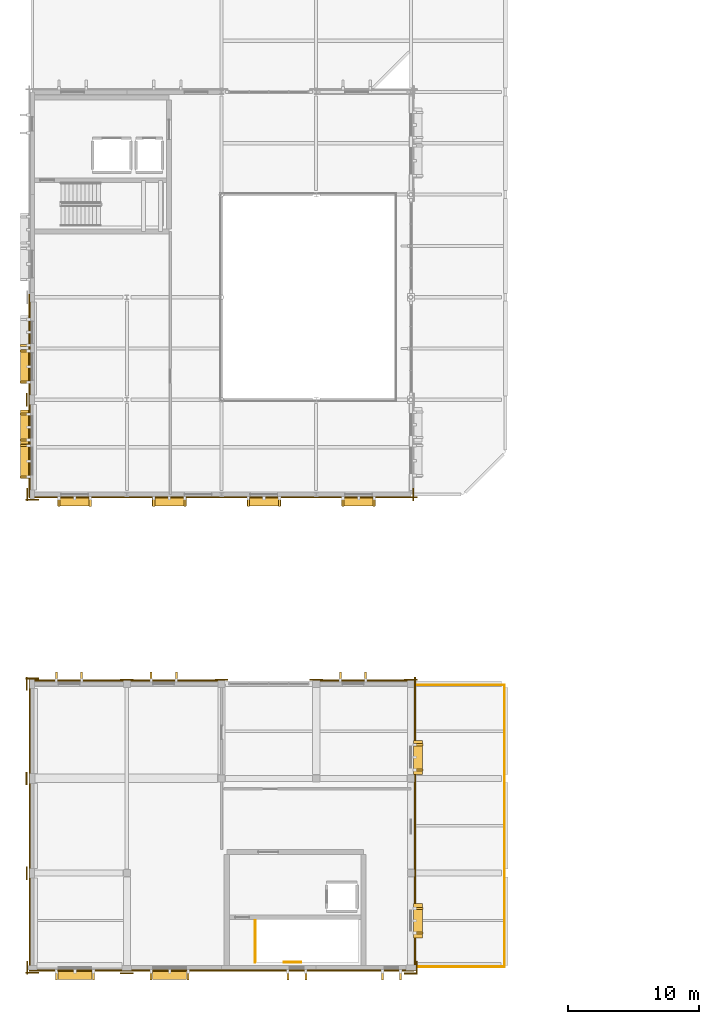
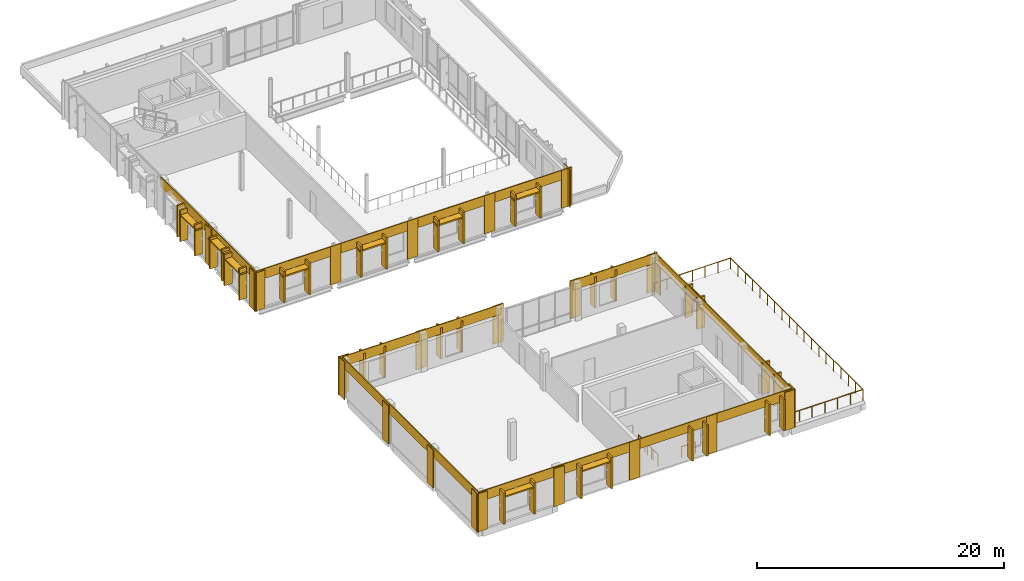
# One storey, part 62 of 73: 44 shading devices, 41 coverings, 6 railings.
"""IFC4 building model written with IfcOpenShell, lengths in metres."""

import ifcopenshell
import ifcopenshell.guid

model = None  # the IFC model being written
_history = None  # IfcOwnerHistory: only IFC2X3 demands one
_inside = {}  # id of a spatial element -> (the spatial element, [elements in it])
_under = {}  # id of a project, library or spatial element -> (it, [spatial elements below it])
_declared = {}  # id of a project -> (the project, [libraries it declares])
_typed = {}  # id of a type object -> (the type object, [elements of that type])
_made_of = {}  # id of a material, layer set ... -> (it, [elements and type objects made of it])


def new_model(schema):
    """Start an empty IFC model of exactly this schema.

    Asked for "IFC4X3", IfcOpenShell would pick the latest addendum, in which some entities
    have other attributes; the version numbers below select the first issue.
    IFC2X3 requires an IfcOwnerHistory on every rooted entity: one is made here for all.
    """
    global model, _history
    if schema == "IFC4X3":
        model = ifcopenshell.file(schema_version=(4, 3, 0, 0))
    else:
        model = ifcopenshell.file(schema=schema)
    _inside.clear()
    _under.clear()
    _declared.clear()
    _typed.clear()
    _made_of.clear()
    _history = None
    if model.schema == "IFC2X3":
        org = make("IfcOrganization", Name="unknown")
        user = make(
            "IfcPersonAndOrganization",
            ThePerson=make("IfcPerson", FamilyName="unknown"),
            TheOrganization=org,
        )
        app = make(
            "IfcApplication",
            ApplicationDeveloper=org,
            Version="unknown",
            ApplicationFullName="unknown",
            ApplicationIdentifier="unknown",
        )
        _history = make(
            "IfcOwnerHistory",
            OwningUser=user,
            OwningApplication=app,
            ChangeAction="ADDED",
            CreationDate=0,
        )
    return model


def make(cls, **values):
    """One entity of the class cls with the attributes given. An attribute that is None is left unset."""
    return model.create_entity(
        cls, **{name: value for name, value in values.items() if value is not None}
    )


def rooted(cls, **values):
    """An entity with a GlobalId (a new one), such as an element, a storey or a relation."""
    return make(cls, GlobalId=ifcopenshell.guid.new(), OwnerHistory=_history, **values)


def si_unit(unit_type, name, prefix=None):
    """IfcSIUnit, for example si_unit("LENGTHUNIT", "METRE", prefix="MILLI")."""
    return make("IfcSIUnit", UnitType=unit_type, Prefix=prefix, Name=name)


def assignment(units):
    """IfcUnitAssignment: the units of a project."""
    return None if units is None else make("IfcUnitAssignment", Units=units)


def point(xyz):
    """IfcCartesianPoint."""
    return None if xyz is None else make("IfcCartesianPoint", Coordinates=xyz)


def direction(xyz):
    """IfcDirection."""
    return None if xyz is None else make("IfcDirection", DirectionRatios=xyz)


def frame(location, z_axis=None, x_axis=None):
    """IfcAxis2Placement3D, a coordinate frame: its origin and axes. An axis left out is left unset."""
    return make(
        "IfcAxis2Placement3D",
        Location=point(location),
        Axis=direction(z_axis),
        RefDirection=direction(x_axis),
    )


def frame_2d(location, x_axis=None):
    """IfcAxis2Placement2D, a coordinate frame in the plane: its origin and x axis."""
    return make(
        "IfcAxis2Placement2D", Location=point(location), RefDirection=direction(x_axis)
    )


def origin():
    """The frame at (0, 0, 0) with its axes left unset."""
    return frame((0.0, 0.0, 0.0))


def origin_2d():
    """The frame at (0, 0) in the plane with its x axis left unset."""
    return frame_2d((0.0, 0.0))


def place(relative_to, where):
    """IfcLocalPlacement: puts the frame where relative to a parent placement (None: the world)."""
    return make(
        "IfcLocalPlacement", PlacementRelTo=relative_to, RelativePlacement=where
    )


def context(
    kind, dimensions, precision=None, world=None, true_north=None, identifier=None
):
    """IfcGeometricRepresentationContext, for example the 3D "Model" context."""
    return make(
        "IfcGeometricRepresentationContext",
        ContextIdentifier=identifier,
        ContextType=kind,
        CoordinateSpaceDimension=dimensions,
        Precision=precision,
        WorldCoordinateSystem=world,
        TrueNorth=true_north,
    )


def subcontext(parent, identifier, kind, view, scale=None):
    """IfcGeometricRepresentationSubContext, for example "Body" below "Model"."""
    return make(
        "IfcGeometricRepresentationSubContext",
        ContextIdentifier=identifier,
        ContextType=kind,
        ParentContext=parent,
        TargetScale=scale,
        TargetView=view,
    )


def project(units=None, contexts=None):
    """IfcProject with its units and contexts."""
    return rooted(
        "IfcProject",
        Name="project",
        RepresentationContexts=contexts,
        UnitsInContext=assignment(units),
    )


def spatial(cls, under=None, at=None, **own):
    """A site, building, storey or space (cls), placed at a placement, below another one or the project."""
    s = rooted(cls, ObjectPlacement=at, **own)
    if under is not None:
        _under.setdefault(under.id(), (under, []))[1].append(s)
    return s


def profile(cls, at=None, kind="AREA", **sizes):
    """A parametric profile (cls). Its sizes go by their IFC names, for example OverallWidth=200.0."""
    return make(cls, ProfileType=kind, Position=at, **sizes)


def rectangle(**sizes):
    """IfcRectangleProfileDef."""
    return profile("IfcRectangleProfileDef", **sizes)


def circle(**sizes):
    """IfcCircleProfileDef."""
    return profile("IfcCircleProfileDef", **sizes)


def extrude(swept, where, along, depth):
    """IfcExtrudedAreaSolid: the profile swept, set in the frame where, extruded along a direction by depth."""
    return make(
        "IfcExtrudedAreaSolid",
        SweptArea=swept,
        Position=where,
        ExtrudedDirection=direction(along),
        Depth=depth,
    )


def shape(context_of_items, identifier, shape_type, items):
    """IfcShapeRepresentation: the items that make up one representation, for example the "Body"."""
    return make(
        "IfcShapeRepresentation",
        ContextOfItems=context_of_items,
        RepresentationIdentifier=identifier,
        RepresentationType=shape_type,
        Items=items,
    )


def material(Name=None, Category=None):
    """IfcMaterial."""
    return make("IfcMaterial", Name=Name, Category=Category)


def layer(
    of_material, thickness, ventilated=None, Name=None, Category=None, Priority=None
):
    """IfcMaterialLayer: one layer of a wall or slab, of a material (None: an air gap)."""
    return make(
        "IfcMaterialLayer",
        Material=of_material,
        LayerThickness=thickness,
        IsVentilated=ventilated,
        Name=Name,
        Category=Category,
        Priority=Priority,
    )


def layer_set(layers, Name=None):
    """IfcMaterialLayerSet."""
    return make("IfcMaterialLayerSet", MaterialLayers=layers, LayerSetName=Name)


def made_of(thing, what):
    """Note that an element or type object is made of a material, layer set ...; save() writes the relation."""
    if what is not None:
        _made_of.setdefault(what.id(), (what, []))[1].append(thing)
    return thing


def type_object(cls, material=None, **own):
    """A type object (cls), such as IfcWallType, which elements share."""
    return made_of(rooted(cls, **own), material)


def element(
    cls,
    number,
    at=None,
    inside=None,
    cuts=None,
    type_object=None,
    material=None,
    context=None,
    identifier="Body",
    shape_type=None,
    held_by="IfcProductDefinitionShape",
    body=None,
    shapes=None,
    **own,
):
    """One element of the class cls, such as IfcWall. Its Tag is "e" and its number.

    at: its placement. inside: the storey or other place that contains it. cuts: it is an
    opening in that element (IfcRelVoidsElement). A single representation is given by context,
    identifier, shape_type and body (its items); several are given by shapes. held_by: the class
    of the entity that holds the representations. save() writes the other relations.
    """
    e = rooted(cls, Tag="e%d" % number, ObjectPlacement=at, **own)
    if body is not None:
        shapes = [shape(context, identifier, shape_type, body)]
    if shapes is not None:
        e.Representation = make(held_by, Representations=shapes)
    if inside is not None:
        _inside.setdefault(inside.id(), (inside, []))[1].append(e)
    if cuts is not None:
        rooted(
            "IfcRelVoidsElement", RelatingBuildingElement=cuts, RelatedOpeningElement=e
        )
    if type_object is not None:
        _typed.setdefault(type_object.id(), (type_object, []))[1].append(e)
    return made_of(e, material)


def aggregate(whole, parts):
    """IfcRelAggregates: a whole, such as a stair, and the parts it consists of."""
    return rooted("IfcRelAggregates", RelatingObject=whole, RelatedObjects=parts)


def save(model, path):
    """Write the relations noted so far, then the file.

    IfcRelAggregates (storeys below a building ...), IfcRelContainedInSpatialStructure (elements
    in a storey), IfcRelDefinesByType, IfcRelAssociatesMaterial and IfcRelDeclares: one each for
    every whole, place, type object, material and project.
    """
    for whole, parts in _under.values():
        aggregate(whole, parts)
    for where, things in _inside.values():
        rooted(
            "IfcRelContainedInSpatialStructure",
            RelatedElements=things,
            RelatingStructure=where,
        )
    for kind, things in _typed.values():
        rooted("IfcRelDefinesByType", RelatedObjects=things, RelatingType=kind)
    for what, things in _made_of.values():
        rooted("IfcRelAssociatesMaterial", RelatedObjects=things, RelatingMaterial=what)
    for by, libraries in _declared.values():
        rooted("IfcRelDeclares", RelatingContext=by, RelatedDefinitions=libraries)
    model.write(path)


model = new_model("IFC4")

# Units and contexts
model_context = context("Model", 3, precision=1e-05, world=origin(), true_north=direction((0.0, 1.0)))
body_context = subcontext(model_context, "Body", "Model", "MODEL_VIEW")
ifc_project = project(units=[si_unit("LENGTHUNIT", "METRE"), si_unit("AREAUNIT", "SQUARE_METRE"), si_unit("VOLUMEUNIT", "CUBIC_METRE"), si_unit("PLANEANGLEUNIT", "RADIAN"), si_unit("MASSUNIT", "GRAM", prefix="KILO")], contexts=[model_context])

# Site, building, storey
site_placement = place(None, origin())
site = spatial("IfcSite", under=ifc_project, at=site_placement, CompositionType="ELEMENT")
building_placement = place(site_placement, origin())
building = spatial("IfcBuilding", under=site, at=building_placement, Name="Vervanel Yard Central Library", CompositionType="ELEMENT")
storey_placement = place(building_placement, frame((0.0, 0.0, 12.780029296875)))
storey = spatial("IfcBuildingStorey", under=building, at=storey_placement, Name="L03", CompositionType="ELEMENT", Elevation=12.780029296875)

# Coverings
ifc_material_1 = material(Name="Precast concrete C45/55", Category="concrete")
ifc_layer = layer(ifc_material_1, 0.0849609375, Category="concrete")
ifc_layer_set = layer_set([ifc_layer], Name="Precast concrete C45/55")
covering_type = type_object("IfcCoveringType", Name="Bush-Hammered Precast Architectural Cladding Panel", PredefinedType="CLADDING", material=ifc_layer_set)
covering_1_placement = place(storey_placement, frame((-0.2099609375, 39.60009765625, 2.800048828125), z_axis=(0.0, 0.0, 1.0), x_axis=(0.0, 1.0, 0.0)))
element("IfcCovering", 1, at=covering_1_placement, inside=storey, type_object=covering_type, Name="L03 Precast Concrete Spandrel Cornice EWALL-L03-0129", PredefinedType="CLADDING", context=body_context, shape_type="SweptSolid", body=[
    extrude(rectangle(XDim=7.64990234375, YDim=0.0849609375, at=origin_2d()), origin(), (0.0, 0.0, 1.0), 0.9599609375),
])
for number, where, z_axis, x_axis, name in (
    (2, (-0.392578125, 36.0, 0.0), (0.0, 0.0, 1.0), (0.0, 1.0, 0.0), "L03 Precast Concrete Pier Pilaster EWALL-L03-0129-A"),
    (3, (-0.402587890625, 43.199951171875, 0.0), (0.0, 0.0, 1.0), (0.0, 1.0, 0.0), "L03 Precast Concrete Pier Pilaster EWALL-L03-0129-B"),
):
    element("IfcCovering", number, at=place(storey_placement, frame(where, z_axis=z_axis, x_axis=x_axis)), inside=storey, type_object=covering_type, Name=name, PredefinedType="CLADDING", context=body_context, shape_type="SweptSolid", body=[
        extrude(rectangle(XDim=0.97998046875, YDim=0.0849609375, at=origin_2d()), origin(), (0.0, 0.0, 1.0), 3.760009765625),
    ])
covering_2_placement = place(storey_placement, frame((-0.2099609375, 47.10009765625, 2.800048828125), z_axis=(0.0, 0.0, 1.0), x_axis=(0.0, 1.0, 0.0)))
element("IfcCovering", 4, at=covering_2_placement, inside=storey, type_object=covering_type, Name="L03 Precast Concrete Spandrel Cornice EWALL-L03-0130", PredefinedType="CLADDING", context=body_context, shape_type="SweptSolid", body=[
    extrude(rectangle(XDim=8.25, YDim=0.0849609375, at=origin_2d()), origin(), (0.0, 0.0, 1.0), 0.9599609375),
])
covering_3_placement = place(storey_placement, frame((28.992431640625, 36.0, 0.0), z_axis=(0.0, 0.0, 1.0), x_axis=(0.0, 1.0, 0.0)))
element("IfcCovering", 5, at=covering_3_placement, inside=storey, type_object=covering_type, Name="L03 Precast Concrete Pier Pilaster EWALL-L03-0133-A", PredefinedType="CLADDING", context=body_context, shape_type="SweptSolid", body=[
    extrude(rectangle(XDim=0.97998046875, YDim=0.0849609375, at=origin_2d()), origin(), (0.0, 0.0, 1.0), 3.760009765625),
])
covering_4_placement = place(storey_placement, frame((3.60009765625, 35.7900390625, 2.800048828125), z_axis=(0.0, 0.0, 1.0), x_axis=(1.0, 0.0, 0.0)))
element("IfcCovering", 6, at=covering_4_placement, inside=storey, type_object=covering_type, Name="L03 Precast Concrete Spandrel Cornice EWALL-L03-0136", PredefinedType="CLADDING", context=body_context, shape_type="SweptSolid", body=[
    extrude(rectangle(XDim=7.64990234375, YDim=0.0849609375, at=origin_2d()), origin(), (0.0, 0.0, 1.0), 0.9599609375),
])
for number, where, z_axis, x_axis, name in (
    (7, (0.0, 35.607421875, 0.0), (0.0, 0.0, 1.0), (1.0, 0.0, 0.0), "L03 Precast Concrete Pier Pilaster EWALL-L03-0136-A"),
    (8, (7.199951171875, 35.78759765625, 0.0), (0.0, 0.0, 1.0), (1.0, 0.0, 0.0), "L03 Precast Concrete Pier Pilaster EWALL-L03-0136-B"),
):
    element("IfcCovering", number, at=place(storey_placement, frame(where, z_axis=z_axis, x_axis=x_axis)), inside=storey, type_object=covering_type, Name=name, PredefinedType="CLADDING", context=body_context, shape_type="SweptSolid", body=[
        extrude(rectangle(XDim=0.97998046875, YDim=0.0849609375, at=origin_2d()), origin(), (0.0, 0.0, 1.0), 3.760009765625),
    ])
covering_5_placement = place(storey_placement, frame((10.800048828125, 35.7900390625, 2.800048828125), z_axis=(0.0, 0.0, 1.0), x_axis=(1.0, 0.0, 0.0)))
element("IfcCovering", 9, at=covering_5_placement, inside=storey, type_object=covering_type, Name="L03 Precast Concrete Spandrel Cornice EWALL-L03-0138", PredefinedType="CLADDING", context=body_context, shape_type="SweptSolid", body=[
    extrude(rectangle(XDim=7.64990234375, YDim=0.0849609375, at=origin_2d()), origin(), (0.0, 0.0, 1.0), 0.9599609375),
])
covering_6_placement = place(storey_placement, frame((14.39990234375, 35.78759765625, 0.0), z_axis=(0.0, 0.0, 1.0), x_axis=(1.0, 0.0, 0.0)))
element("IfcCovering", 10, at=covering_6_placement, inside=storey, type_object=covering_type, Name="L03 Precast Concrete Pier Pilaster EWALL-L03-0138-B", PredefinedType="CLADDING", context=body_context, shape_type="SweptSolid", body=[
    extrude(rectangle(XDim=0.97998046875, YDim=0.0849609375, at=origin_2d()), origin(), (0.0, 0.0, 1.0), 3.760009765625),
])
covering_7_placement = place(storey_placement, frame((18.0, 35.7900390625, 2.800048828125), z_axis=(0.0, 0.0, 1.0), x_axis=(1.0, 0.0, 0.0)))
element("IfcCovering", 11, at=covering_7_placement, inside=storey, type_object=covering_type, Name="L03 Precast Concrete Spandrel Cornice EWALL-L03-0139", PredefinedType="CLADDING", context=body_context, shape_type="SweptSolid", body=[
    extrude(rectangle(XDim=7.64990234375, YDim=0.0849609375, at=origin_2d()), origin(), (0.0, 0.0, 1.0), 0.9599609375),
])
covering_8_placement = place(storey_placement, frame((21.60009765625, 35.78759765625, 0.0), z_axis=(0.0, 0.0, 1.0), x_axis=(1.0, 0.0, 0.0)))
element("IfcCovering", 12, at=covering_8_placement, inside=storey, type_object=covering_type, Name="L03 Precast Concrete Pier Pilaster EWALL-L03-0139-B", PredefinedType="CLADDING", context=body_context, shape_type="SweptSolid", body=[
    extrude(rectangle(XDim=0.97998046875, YDim=0.0849609375, at=origin_2d()), origin(), (0.0, 0.0, 1.0), 3.760009765625),
])
covering_9_placement = place(storey_placement, frame((25.199951171875, 35.7900390625, 2.800048828125), z_axis=(0.0, 0.0, 1.0), x_axis=(1.0, 0.0, 0.0)))
element("IfcCovering", 13, at=covering_9_placement, inside=storey, type_object=covering_type, Name="L03 Precast Concrete Spandrel Cornice EWALL-L03-0141", PredefinedType="CLADDING", context=body_context, shape_type="SweptSolid", body=[
    extrude(rectangle(XDim=7.64990234375, YDim=0.0849609375, at=origin_2d()), origin(), (0.0, 0.0, 1.0), 0.9599609375),
])
covering_10_placement = place(storey_placement, frame((28.800048828125, 35.78759765625, 0.0), z_axis=(0.0, 0.0, 1.0), x_axis=(1.0, 0.0, 0.0)))
element("IfcCovering", 14, at=covering_10_placement, inside=storey, type_object=covering_type, Name="L03 Precast Concrete Pier Pilaster EWALL-L03-0141-B", PredefinedType="CLADDING", context=body_context, shape_type="SweptSolid", body=[
    extrude(rectangle(XDim=0.97998046875, YDim=0.0849609375, at=origin_2d()), origin(), (0.0, 0.0, 1.0), 3.760009765625),
])
covering_11_placement = place(storey_placement, frame((3.60009765625, -0.2099609375, 2.800048828125), z_axis=(0.0, 0.0, 1.0), x_axis=(1.0, 0.0, 0.0)))
element("IfcCovering", 15, at=covering_11_placement, inside=storey, type_object=covering_type, Name="L03 Precast Concrete Spandrel Cornice EWALL-L03-0246", PredefinedType="CLADDING", context=body_context, shape_type="SweptSolid", body=[
    extrude(rectangle(XDim=7.64990234375, YDim=0.0849609375, at=origin_2d()), origin(), (0.0, 0.0, 1.0), 0.9599609375),
])
for number, where, z_axis, x_axis, name in (
    (16, (0.0, -0.392578125, 0.0), (0.0, 0.0, 1.0), (1.0, 0.0, 0.0), "L03 Precast Concrete Pier Pilaster EWALL-L03-0246-A"),
    (17, (7.199951171875, -0.402587890625, 0.0), (0.0, 0.0, 1.0), (1.0, 0.0, 0.0), "L03 Precast Concrete Pier Pilaster EWALL-L03-0246-B"),
):
    element("IfcCovering", number, at=place(storey_placement, frame(where, z_axis=z_axis, x_axis=x_axis)), inside=storey, type_object=covering_type, Name=name, PredefinedType="CLADDING", context=body_context, shape_type="SweptSolid", body=[
        extrude(rectangle(XDim=0.97998046875, YDim=0.0849609375, at=origin_2d()), origin(), (0.0, 0.0, 1.0), 3.760009765625),
    ])
covering_12_placement = place(storey_placement, frame((10.800048828125, -0.2099609375, 2.800048828125), z_axis=(0.0, 0.0, 1.0), x_axis=(1.0, 0.0, 0.0)))
element("IfcCovering", 18, at=covering_12_placement, inside=storey, type_object=covering_type, Name="L03 Precast Concrete Spandrel Cornice EWALL-L03-0247", PredefinedType="CLADDING", context=body_context, shape_type="SweptSolid", body=[
    extrude(rectangle(XDim=7.64990234375, YDim=0.0849609375, at=origin_2d()), origin(), (0.0, 0.0, 1.0), 0.9599609375),
])
covering_13_placement = place(storey_placement, frame((14.39990234375, -0.21240234375, 0.0), z_axis=(0.0, 0.0, 1.0), x_axis=(1.0, 0.0, 0.0)))
element("IfcCovering", 19, at=covering_13_placement, inside=storey, type_object=covering_type, Name="L03 Precast Concrete Pier Pilaster EWALL-L03-0247-B", PredefinedType="CLADDING", context=body_context, shape_type="SweptSolid", body=[
    extrude(rectangle(XDim=0.97998046875, YDim=0.0849609375, at=origin_2d()), origin(), (0.0, 0.0, 1.0), 3.760009765625),
])
covering_14_placement = place(storey_placement, frame((18.0, -0.2099609375, 2.800048828125), z_axis=(0.0, 0.0, 1.0), x_axis=(1.0, 0.0, 0.0)))
element("IfcCovering", 20, at=covering_14_placement, inside=storey, type_object=covering_type, Name="L03 Precast Concrete Spandrel Cornice EWALL-L03-0248", PredefinedType="CLADDING", context=body_context, shape_type="SweptSolid", body=[
    extrude(rectangle(XDim=7.64990234375, YDim=0.0849609375, at=origin_2d()), origin(), (0.0, 0.0, 1.0), 0.9599609375),
])
covering_15_placement = place(storey_placement, frame((21.60009765625, -0.21240234375, 0.0), z_axis=(0.0, 0.0, 1.0), x_axis=(1.0, 0.0, 0.0)))
element("IfcCovering", 21, at=covering_15_placement, inside=storey, type_object=covering_type, Name="L03 Precast Concrete Pier Pilaster EWALL-L03-0248-B", PredefinedType="CLADDING", context=body_context, shape_type="SweptSolid", body=[
    extrude(rectangle(XDim=0.97998046875, YDim=0.0849609375, at=origin_2d()), origin(), (0.0, 0.0, 1.0), 3.760009765625),
])
covering_16_placement = place(storey_placement, frame((25.199951171875, -0.2099609375, 2.800048828125), z_axis=(0.0, 0.0, 1.0), x_axis=(1.0, 0.0, 0.0)))
element("IfcCovering", 22, at=covering_16_placement, inside=storey, type_object=covering_type, Name="L03 Precast Concrete Spandrel Cornice EWALL-L03-0249", PredefinedType="CLADDING", context=body_context, shape_type="SweptSolid", body=[
    extrude(rectangle(XDim=7.64990234375, YDim=0.0849609375, at=origin_2d()), origin(), (0.0, 0.0, 1.0), 0.9599609375),
])
covering_17_placement = place(storey_placement, frame((28.800048828125, -0.4326171875, 0.0), z_axis=(0.0, 0.0, 1.0), x_axis=(1.0, 0.0, 0.0)))
element("IfcCovering", 23, at=covering_17_placement, inside=storey, type_object=covering_type, Name="L03 Precast Concrete Pier Pilaster EWALL-L03-0249-B", PredefinedType="CLADDING", context=body_context, shape_type="SweptSolid", body=[
    extrude(rectangle(XDim=0.97998046875, YDim=0.0849609375, at=origin_2d()), origin(), (0.0, 0.0, 1.0), 3.760009765625),
])
covering_18_placement = place(storey_placement, frame((-0.18994140625, 3.60009765625, 2.800048828125), z_axis=(0.0, 0.0, 1.0), x_axis=(0.0, 1.0, 0.0)))
element("IfcCovering", 24, at=covering_18_placement, inside=storey, type_object=covering_type, Name="L03 Precast Concrete Spandrel Cornice EWALL-L03-0250", PredefinedType="CLADDING", context=body_context, shape_type="SweptSolid", body=[
    extrude(rectangle(XDim=7.64990234375, YDim=0.0849609375, at=origin_2d()), origin(), (0.0, 0.0, 1.0), 0.9599609375),
])
for number, where, z_axis, x_axis, name in (
    (25, (-0.392578125, 0.0, 0.0), (0.0, 0.0, 1.0), (0.0, 1.0, 0.0), "L03 Precast Concrete Pier Pilaster EWALL-L03-0250-A"),
    (26, (-0.402587890625, 7.199951171875, 0.0), (0.0, 0.0, 1.0), (0.0, 1.0, 0.0), "L03 Precast Concrete Pier Pilaster EWALL-L03-0250-B"),
):
    element("IfcCovering", number, at=place(storey_placement, frame(where, z_axis=z_axis, x_axis=x_axis)), inside=storey, type_object=covering_type, Name=name, PredefinedType="CLADDING", context=body_context, shape_type="SweptSolid", body=[
        extrude(rectangle(XDim=0.97998046875, YDim=0.0849609375, at=origin_2d()), origin(), (0.0, 0.0, 1.0), 3.760009765625),
    ])
covering_19_placement = place(storey_placement, frame((-0.18994140625, 10.800048828125, 2.800048828125), z_axis=(0.0, 0.0, 1.0), x_axis=(0.0, 1.0, 0.0)))
element("IfcCovering", 27, at=covering_19_placement, inside=storey, type_object=covering_type, Name="L03 Precast Concrete Spandrel Cornice EWALL-L03-0251", PredefinedType="CLADDING", context=body_context, shape_type="SweptSolid", body=[
    extrude(rectangle(XDim=7.64990234375, YDim=0.0849609375, at=origin_2d()), origin(), (0.0, 0.0, 1.0), 0.9599609375),
])
covering_20_placement = place(storey_placement, frame((-0.4326171875, 14.39990234375, 0.0), z_axis=(0.0, 0.0, 1.0), x_axis=(0.0, 1.0, 0.0)))
element("IfcCovering", 28, at=covering_20_placement, inside=storey, type_object=covering_type, Name="L03 Precast Concrete Pier Pilaster EWALL-L03-0251-B", PredefinedType="CLADDING", context=body_context, shape_type="SweptSolid", body=[
    extrude(rectangle(XDim=0.97998046875, YDim=0.0849609375, at=origin_2d()), origin(), (0.0, 0.0, 1.0), 3.760009765625),
])
covering_21_placement = place(storey_placement, frame((-0.18994140625, 18.0, 2.800048828125), z_axis=(0.0, 0.0, 1.0), x_axis=(0.0, 1.0, 0.0)))
element("IfcCovering", 29, at=covering_21_placement, inside=storey, type_object=covering_type, Name="L03 Precast Concrete Spandrel Cornice EWALL-L03-0252", PredefinedType="CLADDING", context=body_context, shape_type="SweptSolid", body=[
    extrude(rectangle(XDim=7.64990234375, YDim=0.0849609375, at=origin_2d()), origin(), (0.0, 0.0, 1.0), 0.9599609375),
])
covering_22_placement = place(storey_placement, frame((-0.402587890625, 21.60009765625, 0.0), z_axis=(0.0, 0.0, 1.0), x_axis=(0.0, 1.0, 0.0)))
element("IfcCovering", 30, at=covering_22_placement, inside=storey, type_object=covering_type, Name="L03 Precast Concrete Pier Pilaster EWALL-L03-0252-B", PredefinedType="CLADDING", context=body_context, shape_type="SweptSolid", body=[
    extrude(rectangle(XDim=0.97998046875, YDim=0.0849609375, at=origin_2d()), origin(), (0.0, 0.0, 1.0), 3.760009765625),
])
covering_23_placement = place(storey_placement, frame((29.114990234375, 10.800048828125, 2.800048828125), z_axis=(0.0, 0.0, 1.0), x_axis=(0.0, 1.0, 0.0)))
element("IfcCovering", 31, at=covering_23_placement, inside=storey, type_object=covering_type, Name="L03 Precast Concrete Spandrel Cornice EWALL-L03-0253", PredefinedType="CLADDING", context=body_context, shape_type="SweptSolid", body=[
    extrude(rectangle(XDim=22.050048828125, YDim=0.0849609375, at=origin_2d()), origin(), (0.0, 0.0, 1.0), 0.9599609375),
])
for number, where, z_axis, x_axis, name in (
    (32, (29.232421875, 0.0, 0.0), (0.0, 0.0, 1.0), (0.0, 1.0, 0.0), "L03 Precast Concrete Pier Pilaster EWALL-L03-0253-A"),
    (33, (29.117431640625, 21.60009765625, 0.0), (0.0, 0.0, 1.0), (0.0, 1.0, 0.0), "L03 Precast Concrete Pier Pilaster EWALL-L03-0253-B"),
):
    element("IfcCovering", number, at=place(storey_placement, frame(where, z_axis=z_axis, x_axis=x_axis)), inside=storey, type_object=covering_type, Name=name, PredefinedType="CLADDING", context=body_context, shape_type="SweptSolid", body=[
        extrude(rectangle(XDim=0.97998046875, YDim=0.0849609375, at=origin_2d()), origin(), (0.0, 0.0, 1.0), 3.760009765625),
    ])
covering_24_placement = place(storey_placement, frame((3.60009765625, 21.85009765625, 2.800048828125), z_axis=(0.0, 0.0, 1.0), x_axis=(1.0, 0.0, 0.0)))
element("IfcCovering", 34, at=covering_24_placement, inside=storey, type_object=covering_type, Name="L03 Precast Concrete Spandrel Cornice EWALL-L03-0254", PredefinedType="CLADDING", context=body_context, shape_type="SweptSolid", body=[
    extrude(rectangle(XDim=7.64990234375, YDim=0.0849609375, at=origin_2d()), origin(), (0.0, 0.0, 1.0), 0.9599609375),
])
for number, where, z_axis, x_axis, name in (
    (35, (0.0, 22.00244140625, 0.0), (0.0, 0.0, 1.0), (1.0, 0.0, 0.0), "L03 Precast Concrete Pier Pilaster EWALL-L03-0254-A"),
    (36, (7.199951171875, 21.91748046875, 0.0), (0.0, 0.0, 1.0), (1.0, 0.0, 0.0), "L03 Precast Concrete Pier Pilaster EWALL-L03-0254-B"),
):
    element("IfcCovering", number, at=place(storey_placement, frame(where, z_axis=z_axis, x_axis=x_axis)), inside=storey, type_object=covering_type, Name=name, PredefinedType="CLADDING", context=body_context, shape_type="SweptSolid", body=[
        extrude(rectangle(XDim=0.97998046875, YDim=0.0849609375, at=origin_2d()), origin(), (0.0, 0.0, 1.0), 3.760009765625),
    ])
covering_25_placement = place(storey_placement, frame((10.800048828125, 21.85009765625, 2.800048828125), z_axis=(0.0, 0.0, 1.0), x_axis=(1.0, 0.0, 0.0)))
element("IfcCovering", 37, at=covering_25_placement, inside=storey, type_object=covering_type, Name="L03 Precast Concrete Spandrel Cornice EWALL-L03-0255", PredefinedType="CLADDING", context=body_context, shape_type="SweptSolid", body=[
    extrude(rectangle(XDim=7.64990234375, YDim=0.0849609375, at=origin_2d()), origin(), (0.0, 0.0, 1.0), 0.9599609375),
])
covering_26_placement = place(storey_placement, frame((14.39990234375, 21.91748046875, 0.0), z_axis=(0.0, 0.0, 1.0), x_axis=(1.0, 0.0, 0.0)))
element("IfcCovering", 38, at=covering_26_placement, inside=storey, type_object=covering_type, Name="L03 Precast Concrete Pier Pilaster EWALL-L03-0255-B", PredefinedType="CLADDING", context=body_context, shape_type="SweptSolid", body=[
    extrude(rectangle(XDim=0.97998046875, YDim=0.0849609375, at=origin_2d()), origin(), (0.0, 0.0, 1.0), 3.760009765625),
])
covering_27_placement = place(storey_placement, frame((25.199951171875, 21.85009765625, 2.800048828125), z_axis=(0.0, 0.0, 1.0), x_axis=(1.0, 0.0, 0.0)))
element("IfcCovering", 39, at=covering_27_placement, inside=storey, type_object=covering_type, Name="L03 Precast Concrete Spandrel Cornice EWALL-L03-0256", PredefinedType="CLADDING", context=body_context, shape_type="SweptSolid", body=[
    extrude(rectangle(XDim=7.64990234375, YDim=0.0849609375, at=origin_2d()), origin(), (0.0, 0.0, 1.0), 0.9599609375),
])
for number, where, z_axis, x_axis, name in (
    (40, (21.60009765625, 21.91748046875, 0.0), (0.0, 0.0, 1.0), (1.0, 0.0, 0.0), "L03 Precast Concrete Pier Pilaster EWALL-L03-0256-A"),
    (41, (28.800048828125, 21.91748046875, 0.0), (0.0, 0.0, 1.0), (1.0, 0.0, 0.0), "L03 Precast Concrete Pier Pilaster EWALL-L03-0256-B"),
):
    element("IfcCovering", number, at=place(storey_placement, frame(where, z_axis=z_axis, x_axis=x_axis)), inside=storey, type_object=covering_type, Name=name, PredefinedType="CLADDING", context=body_context, shape_type="SweptSolid", body=[
        extrude(rectangle(XDim=0.97998046875, YDim=0.0849609375, at=origin_2d()), origin(), (0.0, 0.0, 1.0), 3.760009765625),
    ])

# Railings
ifc_material_2 = material(Name="Brushed stainless steel AISI 316", Category="steel")
railing_type_1 = type_object("IfcRailingType", Name="Exterior Terrace Guardrail 1100", PredefinedType="GUARDRAIL", material=ifc_material_2)
railing_1_placement = place(storey_placement, frame((28.800048828125, 0.080078125, 0.0)))
element("IfcRailing", 42, at=railing_1_placement, inside=storey, type_object=railing_type_1, Name="L03 L03 Boulevard Reading Roof Garden Terrace Edge Guard 30", PredefinedType="GUARDRAIL", context=body_context, shape_type="SweptSolid", body=[
    extrude(circle(Radius=0.02392578125, at=origin_2d()), frame((0.0, 0.0, 1.076171875), z_axis=(1.0, 0.0, 0.0), x_axis=(0.0, 1.0, 0.0)), (0.0, 0.0, 1.0), 7.119873046875),
    extrude(circle(Radius=0.02099609375, at=origin_2d()), origin(), (0.0, 0.0, 1.0), 1.052001953125),
    extrude(circle(Radius=0.02099609375, at=origin_2d()), frame((1.1865234375, 0.0, 0.0)), (0.0, 0.0, 1.0), 1.052001953125),
    extrude(circle(Radius=0.02099609375, at=origin_2d()), frame((2.373291015625, 0.0, 0.0)), (0.0, 0.0, 1.0), 1.052001953125),
    extrude(circle(Radius=0.02099609375, at=origin_2d()), frame((3.56005859375, 0.0, 0.0)), (0.0, 0.0, 1.0), 1.052001953125),
    extrude(circle(Radius=0.02099609375, at=origin_2d()), frame((4.74658203125, 0.0, 0.0)), (0.0, 0.0, 1.0), 1.052001953125),
    extrude(circle(Radius=0.02099609375, at=origin_2d()), frame((5.93310546875, 0.0, 0.0)), (0.0, 0.0, 1.0), 1.052001953125),
    extrude(circle(Radius=0.02099609375, at=origin_2d()), frame((7.119873046875, 0.0, 0.0)), (0.0, 0.0, 1.0), 1.052001953125),
])
railing_2_placement = place(storey_placement, frame((35.919921875, 0.080078125, 0.0)))
element("IfcRailing", 43, at=railing_2_placement, inside=storey, type_object=railing_type_1, Name="L03 L03 Boulevard Reading Roof Garden Terrace Edge Guard 31", PredefinedType="GUARDRAIL", context=body_context, shape_type="SweptSolid", body=[
    extrude(circle(Radius=0.02392578125, at=origin_2d()), frame((0.0, 0.0, 1.076171875), z_axis=(0.0, 1.0, 0.0), x_axis=(-1.0, 0.0, 0.0)), (0.0, 0.0, 1.0), 21.43994140625),
    extrude(circle(Radius=0.02099609375, at=origin_2d()), origin(), (0.0, 0.0, 1.0), 1.052001953125),
    extrude(circle(Radius=0.02099609375, at=origin_2d()), frame((0.0, 1.191162109375, 0.0)), (0.0, 0.0, 1.0), 1.052001953125),
    extrude(circle(Radius=0.02099609375, at=origin_2d()), frame((0.0, 2.38232421875, 0.0)), (0.0, 0.0, 1.0), 1.052001953125),
    extrude(circle(Radius=0.02099609375, at=origin_2d()), frame((0.0, 3.5732421875, 0.0)), (0.0, 0.0, 1.0), 1.052001953125),
    extrude(circle(Radius=0.02099609375, at=origin_2d()), frame((0.0, 4.764404296875, 0.0)), (0.0, 0.0, 1.0), 1.052001953125),
    extrude(circle(Radius=0.02099609375, at=origin_2d()), frame((0.0, 5.95556640625, 0.0)), (0.0, 0.0, 1.0), 1.052001953125),
    extrude(circle(Radius=0.02099609375, at=origin_2d()), frame((0.0, 7.146728515625, 0.0)), (0.0, 0.0, 1.0), 1.052001953125),
    extrude(circle(Radius=0.02099609375, at=origin_2d()), frame((0.0, 8.337646484375, 0.0)), (0.0, 0.0, 1.0), 1.052001953125),
    extrude(circle(Radius=0.02099609375, at=origin_2d()), frame((0.0, 9.52880859375, 0.0)), (0.0, 0.0, 1.0), 1.052001953125),
    extrude(circle(Radius=0.02099609375, at=origin_2d()), frame((0.0, 10.719970703125, 0.0)), (0.0, 0.0, 1.0), 1.052001953125),
    extrude(circle(Radius=0.02099609375, at=origin_2d()), frame((0.0, 11.9111328125, 0.0)), (0.0, 0.0, 1.0), 1.052001953125),
    extrude(circle(Radius=0.02099609375, at=origin_2d()), frame((0.0, 13.102294921875, 0.0)), (0.0, 0.0, 1.0), 1.052001953125),
    extrude(circle(Radius=0.02099609375, at=origin_2d()), frame((0.0, 14.293212890625, 0.0)), (0.0, 0.0, 1.0), 1.052001953125),
    extrude(circle(Radius=0.02099609375, at=origin_2d()), frame((0.0, 15.484375, 0.0)), (0.0, 0.0, 1.0), 1.052001953125),
    extrude(circle(Radius=0.02099609375, at=origin_2d()), frame((0.0, 16.675537109375, 0.0)), (0.0, 0.0, 1.0), 1.052001953125),
    extrude(circle(Radius=0.02099609375, at=origin_2d()), frame((0.0, 17.86669921875, 0.0)), (0.0, 0.0, 1.0), 1.052001953125),
    extrude(circle(Radius=0.02099609375, at=origin_2d()), frame((0.0, 19.0576171875, 0.0)), (0.0, 0.0, 1.0), 1.052001953125),
    extrude(circle(Radius=0.02099609375, at=origin_2d()), frame((0.0, 20.248779296875, 0.0)), (0.0, 0.0, 1.0), 1.052001953125),
    extrude(circle(Radius=0.02099609375, at=origin_2d()), frame((0.0, 21.43994140625, 0.0)), (0.0, 0.0, 1.0), 1.052001953125),
])
railing_3_placement = place(storey_placement, frame((28.800048828125, 21.52001953125, 0.0)))
element("IfcRailing", 44, at=railing_3_placement, inside=storey, type_object=railing_type_1, Name="L03 L03 Boulevard Reading Roof Garden Terrace Edge Guard 32", PredefinedType="GUARDRAIL", context=body_context, shape_type="SweptSolid", body=[
    extrude(circle(Radius=0.02392578125, at=origin_2d()), frame((0.0, 0.0, 1.076171875), z_axis=(1.0, 0.0, 0.0), x_axis=(0.0, 1.0, 0.0)), (0.0, 0.0, 1.0), 7.119873046875),
    extrude(circle(Radius=0.02099609375, at=origin_2d()), origin(), (0.0, 0.0, 1.0), 1.052001953125),
    extrude(circle(Radius=0.02099609375, at=origin_2d()), frame((1.1865234375, 0.0, 0.0)), (0.0, 0.0, 1.0), 1.052001953125),
    extrude(circle(Radius=0.02099609375, at=origin_2d()), frame((2.373291015625, 0.0, 0.0)), (0.0, 0.0, 1.0), 1.052001953125),
    extrude(circle(Radius=0.02099609375, at=origin_2d()), frame((3.56005859375, 0.0, 0.0)), (0.0, 0.0, 1.0), 1.052001953125),
    extrude(circle(Radius=0.02099609375, at=origin_2d()), frame((4.74658203125, 0.0, 0.0)), (0.0, 0.0, 1.0), 1.052001953125),
    extrude(circle(Radius=0.02099609375, at=origin_2d()), frame((5.93310546875, 0.0, 0.0)), (0.0, 0.0, 1.0), 1.052001953125),
    extrude(circle(Radius=0.02099609375, at=origin_2d()), frame((7.119873046875, 0.0, 0.0)), (0.0, 0.0, 1.0), 1.052001953125),
])

# Shading devices
shading_device_type_1 = type_object("IfcShadingDeviceType", Name="Horizontal Precast Brise-Soleil Sunhood 2600x680x140", PredefinedType="JALOUSIE", material=ifc_material_1)
for number, where, z_axis, x_axis, name in (
    (45, (-0.5400390625, 38.52490234375, 2.72998046875), (0.0, 0.0, 1.0), (0.0, 1.0, 0.0), "L03 Precast Horizontal Sunhood 73"),
    (46, (-0.5400390625, 41.125, 3.1298828125), (0.0, 0.0, 1.0), (0.0, 1.0, 0.0), "L03 Precast Horizontal Sunhood 74"),
    (47, (-0.5400390625, 45.72509765625, 2.72998046875), (0.0, 0.0, 1.0), (0.0, 1.0, 0.0), "L03 Precast Horizontal Sunhood 75"),
    (48, (3.22509765625, 35.4599609375, 2.77978515625), (0.0, 0.0, 1.0), (1.0, 0.0, 0.0), "L03 Precast Horizontal Sunhood 83"),
    (49, (10.425048828125, 35.4599609375, 2.77978515625), (0.0, 0.0, 1.0), (1.0, 0.0, 0.0), "L03 Precast Horizontal Sunhood 84"),
    (50, (17.625, 35.4599609375, 2.77978515625), (0.0, 0.0, 1.0), (1.0, 0.0, 0.0), "L03 Precast Horizontal Sunhood 85"),
    (51, (24.824951171875, 35.4599609375, 2.77978515625), (0.0, 0.0, 1.0), (1.0, 0.0, 0.0), "L03 Precast Horizontal Sunhood 86"),
    (52, (3.25, -0.5400390625, 2.8798828125), (0.0, 0.0, 1.0), (1.0, 0.0, 0.0), "L03 Precast Horizontal Sunhood 142"),
    (53, (10.449951171875, -0.5400390625, 2.8798828125), (0.0, 0.0, 1.0), (1.0, 0.0, 0.0), "L03 Precast Horizontal Sunhood 143"),
    (54, (29.340087890625, 3.574951171875, 2.8798828125), (0.0, 0.0, 1.0), (0.0, 1.0, 0.0), "L03 Precast Horizontal Sunhood 144"),
    (55, (29.340087890625, 16.0, 2.97998046875), (0.0, 0.0, 1.0), (0.0, 1.0, 0.0), "L03 Precast Horizontal Sunhood 145"),
):
    element("IfcShadingDevice", number, at=place(storey_placement, frame(where, z_axis=z_axis, x_axis=x_axis)), inside=storey, type_object=shading_device_type_1, Name=name, PredefinedType="JALOUSIE", context=body_context, shape_type="SweptSolid", body=[
        extrude(rectangle(XDim=2.60009765625, YDim=0.679931640625, at=origin_2d()), origin(), (0.0, 0.0, 1.0), 0.139892578125),
    ])

# Railings
ifc_material_3 = material(Name="Galvanized painted steelwork ASTM A500 Grade C", Category="steel")
railing_type_2 = type_object("IfcRailingType", Name="Painted Steel Guardrail 1100", PredefinedType="GUARDRAIL", material=ifc_material_3)
railing_4_placement = place(storey_placement, frame((16.949951171875, 0.39990234375, 0.0)))
element("IfcRailing", 56, at=railing_4_placement, inside=storey, type_object=railing_type_2, Name="L03 ST-04 top well guard 1", PredefinedType="GUARDRAIL", context=body_context, shape_type="SweptSolid", body=[
    extrude(circle(Radius=0.02392578125, at=origin_2d()), frame((0.0, 0.0, 1.076171875), z_axis=(0.0, 1.0, 0.0), x_axis=(-1.0, 0.0, 0.0)), (0.0, 0.0, 1.0), 1.710205078125),
    extrude(circle(Radius=0.02099609375, at=origin_2d()), origin(), (0.0, 0.0, 1.0), 1.052001953125),
    extrude(circle(Radius=0.02099609375, at=origin_2d()), frame((0.0, 0.85498046875, 0.0)), (0.0, 0.0, 1.0), 1.052001953125),
    extrude(circle(Radius=0.02099609375, at=origin_2d()), frame((0.0, 1.710205078125, 0.0)), (0.0, 0.0, 1.0), 1.052001953125),
])
railing_5_placement = place(storey_placement, frame((16.9599609375, 0.449951171875, 0.0)))
element("IfcRailing", 57, at=railing_5_placement, inside=storey, type_object=railing_type_2, Name="L03 CORE-D Top Stair Well Guard", PredefinedType="GUARDRAIL", context=body_context, shape_type="SweptSolid", body=[
    extrude(circle(Radius=0.02392578125, at=origin_2d()), frame((0.0, 0.0, 1.076171875), z_axis=(0.0, 1.0, 0.0), x_axis=(-1.0, 0.0, 0.0)), (0.0, 0.0, 1.0), 3.16015625),
    extrude(circle(Radius=0.02099609375, at=origin_2d()), origin(), (0.0, 0.0, 1.0), 1.052001953125),
    extrude(circle(Radius=0.02099609375, at=origin_2d()), frame((0.0, 1.053466796875, 0.0)), (0.0, 0.0, 1.0), 1.052001953125),
    extrude(circle(Radius=0.02099609375, at=origin_2d()), frame((0.0, 2.106689453125, 0.0)), (0.0, 0.0, 1.0), 1.052001953125),
    extrude(circle(Radius=0.02099609375, at=origin_2d()), frame((0.0, 3.16015625, 0.0)), (0.0, 0.0, 1.0), 1.052001953125),
])
railing_6_placement = place(storey_placement, frame((19.14990234375, 0.419921875, 0.0)))
element("IfcRailing", 58, at=railing_6_placement, inside=storey, type_object=railing_type_2, Name="L03 CORE-D Top Stair South Well Guard", PredefinedType="GUARDRAIL", context=body_context, shape_type="SweptSolid", body=[
    extrude(circle(Radius=0.02392578125, at=origin_2d()), frame((0.0, 0.0, 1.076171875), z_axis=(1.0, 0.0, 0.0), x_axis=(0.0, 1.0, 0.0)), (0.0, 0.0, 1.0), 1.300048828125),
    extrude(circle(Radius=0.02099609375, at=origin_2d()), origin(), (0.0, 0.0, 1.0), 1.052001953125),
    extrude(circle(Radius=0.02099609375, at=origin_2d()), frame((0.64990234375, 0.0, 0.0)), (0.0, 0.0, 1.0), 1.052001953125),
    extrude(circle(Radius=0.02099609375, at=origin_2d()), frame((1.300048828125, 0.0, 0.0)), (0.0, 0.0, 1.0), 1.052001953125),
])

# Shading devices
shading_device_type_2 = type_object("IfcShadingDeviceType", Name="Vertical Precast Solar Fin 160x720x3200", PredefinedType="JALOUSIE", material=ifc_material_1)
for number, where, z_axis, x_axis, name in (
    (59, (-0.570068359375, 37.340087890625, 0.224853515625), (0.0, 0.0, 1.0), (0.0, 1.0, 0.0), "L03 Precast Solar Fin 357"),
    (60, (-0.570068359375, 39.7099609375, 0.224853515625), (0.0, 0.0, 1.0), (0.0, 1.0, 0.0), "L03 Precast Solar Fin 358"),
    (61, (-0.570068359375, 40.139892578125, 0.4248046875), (0.0, 0.0, 1.0), (0.0, 1.0, 0.0), "L03 Precast Solar Fin 359"),
    (62, (-0.570068359375, 42.110107421875, 0.4248046875), (0.0, 0.0, 1.0), (0.0, 1.0, 0.0), "L03 Precast Solar Fin 360"),
    (63, (-0.570068359375, 44.5400390625, 0.224853515625), (0.0, 0.0, 1.0), (0.0, 1.0, 0.0), "L03 Precast Solar Fin 361"),
    (64, (-0.570068359375, 46.909912109375, 0.224853515625), (0.0, 0.0, 1.0), (0.0, 1.0, 0.0), "L03 Precast Solar Fin 362"),
    (65, (-0.570068359375, 47.340087890625, 0.4248046875), (0.0, 0.0, 1.0), (0.0, 1.0, 0.0), "L03 Precast Solar Fin 363"),
    (66, (2.0400390625, 35.429931640625, 0.27490234375), (0.0, 0.0, 1.0), (1.0, 0.0, 0.0), "L03 Precast Solar Fin 383"),
    (67, (4.409912109375, 35.429931640625, 0.27490234375), (0.0, 0.0, 1.0), (1.0, 0.0, 0.0), "L03 Precast Solar Fin 384"),
    (68, (9.239990234375, 35.429931640625, 0.27490234375), (0.0, 0.0, 1.0), (1.0, 0.0, 0.0), "L03 Precast Solar Fin 387"),
    (69, (11.610107421875, 35.429931640625, 0.27490234375), (0.0, 0.0, 1.0), (1.0, 0.0, 0.0), "L03 Precast Solar Fin 388"),
    (70, (16.43994140625, 35.429931640625, 0.27490234375), (0.0, 0.0, 1.0), (1.0, 0.0, 0.0), "L03 Precast Solar Fin 389"),
    (71, (18.81005859375, 35.429931640625, 0.27490234375), (0.0, 0.0, 1.0), (1.0, 0.0, 0.0), "L03 Precast Solar Fin 390"),
    (72, (23.639892578125, 35.429931640625, 0.27490234375), (0.0, 0.0, 1.0), (1.0, 0.0, 0.0), "L03 Precast Solar Fin 393"),
    (73, (26.010009765625, 35.429931640625, 0.27490234375), (0.0, 0.0, 1.0), (1.0, 0.0, 0.0), "L03 Precast Solar Fin 394"),
    (74, (1.840087890625, -0.570068359375, 0.2998046875), (0.0, 0.0, 1.0), (1.0, 0.0, 0.0), "L03 Precast Solar Fin 687"),
    (75, (4.659912109375, -0.570068359375, 0.2998046875), (0.0, 0.0, 1.0), (1.0, 0.0, 0.0), "L03 Precast Solar Fin 688"),
    (76, (9.0400390625, -0.570068359375, 0.2998046875), (0.0, 0.0, 1.0), (1.0, 0.0, 0.0), "L03 Precast Solar Fin 689"),
    (77, (11.860107421875, -0.570068359375, 0.2998046875), (0.0, 0.0, 1.0), (1.0, 0.0, 0.0), "L03 Precast Solar Fin 690"),
    (78, (19.43994140625, -0.570068359375, 0.375), (0.0, 0.0, 1.0), (1.0, 0.0, 0.0), "L03 Precast Solar Fin 691"),
    (79, (20.81005859375, -0.570068359375, 0.375), (0.0, 0.0, 1.0), (1.0, 0.0, 0.0), "L03 Precast Solar Fin 692"),
    (80, (26.639892578125, -0.570068359375, 0.375), (0.0, 0.0, 1.0), (1.0, 0.0, 0.0), "L03 Precast Solar Fin 693"),
    (81, (28.010009765625, -0.570068359375, 0.375), (0.0, 0.0, 1.0), (1.0, 0.0, 0.0), "L03 Precast Solar Fin 694"),
    (82, (29.3701171875, 2.639892578125, 0.324951171875), (0.0, 0.0, 1.0), (0.0, 1.0, 0.0), "L03 Precast Solar Fin 695"),
    (83, (29.3701171875, 4.510009765625, 0.324951171875), (0.0, 0.0, 1.0), (0.0, 1.0, 0.0), "L03 Precast Solar Fin 696"),
    (84, (29.3701171875, 15.0400390625, 0.375), (0.0, 0.0, 1.0), (0.0, 1.0, 0.0), "L03 Precast Solar Fin 697"),
    (85, (29.3701171875, 16.9599609375, 0.375), (0.0, 0.0, 1.0), (0.0, 1.0, 0.0), "L03 Precast Solar Fin 698"),
    (86, (1.840087890625, 22.14990234375, 0.324951171875), (0.0, 0.0, 1.0), (1.0, 0.0, 0.0), "L03 Precast Solar Fin 699"),
    (87, (3.760009765625, 22.14990234375, 0.324951171875), (0.0, 0.0, 1.0), (1.0, 0.0, 0.0), "L03 Precast Solar Fin 700"),
    (88, (9.0400390625, 22.14990234375, 0.324951171875), (0.0, 0.0, 1.0), (1.0, 0.0, 0.0), "L03 Precast Solar Fin 701"),
    (89, (10.9599609375, 22.14990234375, 0.324951171875), (0.0, 0.0, 1.0), (1.0, 0.0, 0.0), "L03 Precast Solar Fin 702"),
    (90, (23.43994140625, 22.14990234375, 0.324951171875), (0.0, 0.0, 1.0), (1.0, 0.0, 0.0), "L03 Precast Solar Fin 703"),
    (91, (25.360107421875, 22.14990234375, 0.324951171875), (0.0, 0.0, 1.0), (1.0, 0.0, 0.0), "L03 Precast Solar Fin 704"),
):
    element("IfcShadingDevice", number, at=place(storey_placement, frame(where, z_axis=z_axis, x_axis=x_axis)), inside=storey, type_object=shading_device_type_2, Name=name, PredefinedType="JALOUSIE", context=body_context, shape_type="SweptSolid", body=[
        extrude(rectangle(XDim=0.159912109375, YDim=0.719970703125, at=origin_2d()), origin(), (0.0, 0.0, 1.0), 3.10009765625),
    ])

save(model, "model.ifc")
